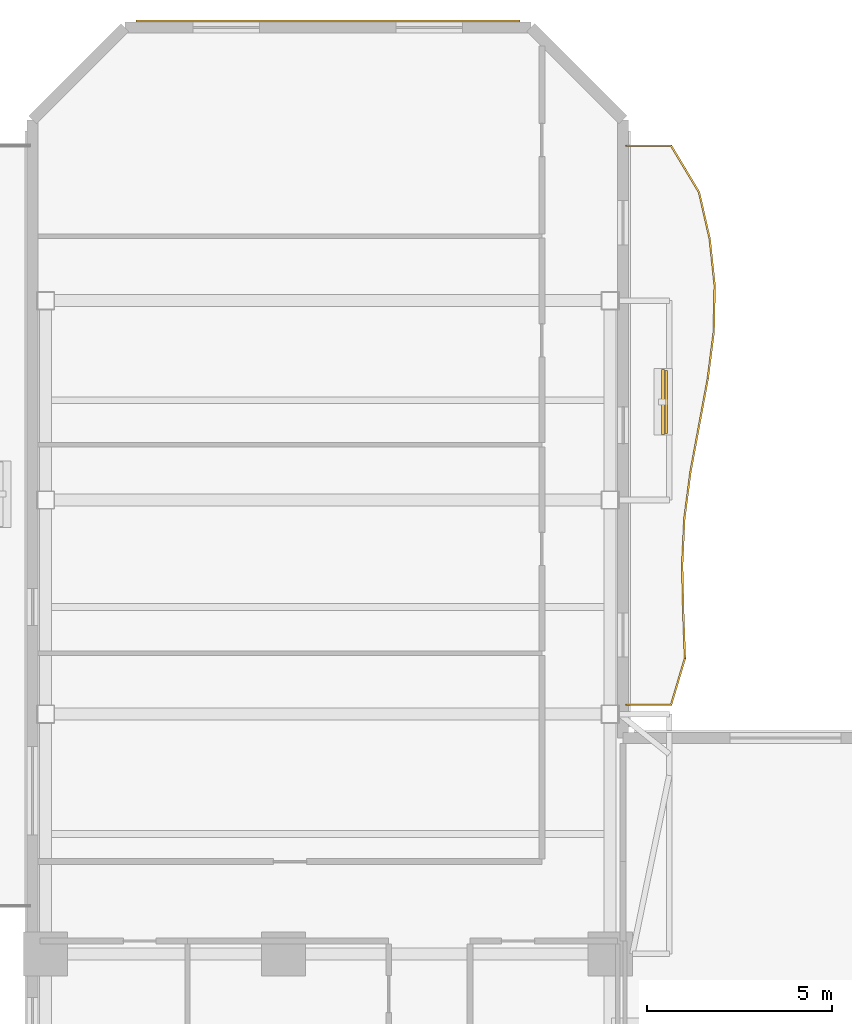
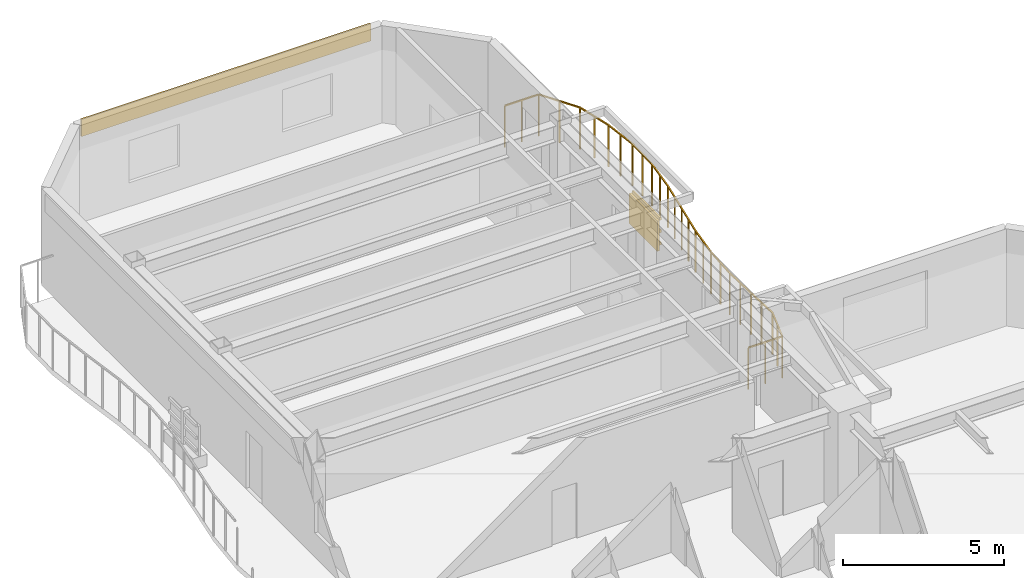
# One storey, part 15 of 15: 4 shading devices, 1 covering, 1 railing.
"""IFC4 building model written with IfcOpenShell, lengths in metres."""

import ifcopenshell
import ifcopenshell.guid

model = None  # the IFC model being written
_history = None  # IfcOwnerHistory: only IFC2X3 demands one
_inside = {}  # id of a spatial element -> (the spatial element, [elements in it])
_under = {}  # id of a project, library or spatial element -> (it, [spatial elements below it])
_declared = {}  # id of a project -> (the project, [libraries it declares])
_typed = {}  # id of a type object -> (the type object, [elements of that type])
_made_of = {}  # id of a material, layer set ... -> (it, [elements and type objects made of it])


def new_model(schema):
    """Start an empty IFC model of exactly this schema.

    Asked for "IFC4X3", IfcOpenShell would pick the latest addendum, in which some entities
    have other attributes; the version numbers below select the first issue.
    IFC2X3 requires an IfcOwnerHistory on every rooted entity: one is made here for all.
    """
    global model, _history
    if schema == "IFC4X3":
        model = ifcopenshell.file(schema_version=(4, 3, 0, 0))
    else:
        model = ifcopenshell.file(schema=schema)
    _inside.clear()
    _under.clear()
    _declared.clear()
    _typed.clear()
    _made_of.clear()
    _history = None
    if model.schema == "IFC2X3":
        org = make("IfcOrganization", Name="unknown")
        user = make(
            "IfcPersonAndOrganization",
            ThePerson=make("IfcPerson", FamilyName="unknown"),
            TheOrganization=org,
        )
        app = make(
            "IfcApplication",
            ApplicationDeveloper=org,
            Version="unknown",
            ApplicationFullName="unknown",
            ApplicationIdentifier="unknown",
        )
        _history = make(
            "IfcOwnerHistory",
            OwningUser=user,
            OwningApplication=app,
            ChangeAction="ADDED",
            CreationDate=0,
        )
    return model


def make(cls, **values):
    """One entity of the class cls with the attributes given. An attribute that is None is left unset."""
    return model.create_entity(
        cls, **{name: value for name, value in values.items() if value is not None}
    )


def rooted(cls, **values):
    """An entity with a GlobalId (a new one), such as an element, a storey or a relation."""
    return make(cls, GlobalId=ifcopenshell.guid.new(), OwnerHistory=_history, **values)


def si_unit(unit_type, name, prefix=None):
    """IfcSIUnit, for example si_unit("LENGTHUNIT", "METRE", prefix="MILLI")."""
    return make("IfcSIUnit", UnitType=unit_type, Prefix=prefix, Name=name)


def assignment(units):
    """IfcUnitAssignment: the units of a project."""
    return None if units is None else make("IfcUnitAssignment", Units=units)


def point(xyz):
    """IfcCartesianPoint."""
    return None if xyz is None else make("IfcCartesianPoint", Coordinates=xyz)


def direction(xyz):
    """IfcDirection."""
    return None if xyz is None else make("IfcDirection", DirectionRatios=xyz)


def frame(location, z_axis=None, x_axis=None):
    """IfcAxis2Placement3D, a coordinate frame: its origin and axes. An axis left out is left unset."""
    return make(
        "IfcAxis2Placement3D",
        Location=point(location),
        Axis=direction(z_axis),
        RefDirection=direction(x_axis),
    )


def frame_2d(location, x_axis=None):
    """IfcAxis2Placement2D, a coordinate frame in the plane: its origin and x axis."""
    return make(
        "IfcAxis2Placement2D", Location=point(location), RefDirection=direction(x_axis)
    )


def origin():
    """The frame at (0, 0, 0) with its axes left unset."""
    return frame((0.0, 0.0, 0.0))


def origin_2d():
    """The frame at (0, 0) in the plane with its x axis left unset."""
    return frame_2d((0.0, 0.0))


def place(relative_to, where):
    """IfcLocalPlacement: puts the frame where relative to a parent placement (None: the world)."""
    return make(
        "IfcLocalPlacement", PlacementRelTo=relative_to, RelativePlacement=where
    )


def context(
    kind, dimensions, precision=None, world=None, true_north=None, identifier=None
):
    """IfcGeometricRepresentationContext, for example the 3D "Model" context."""
    return make(
        "IfcGeometricRepresentationContext",
        ContextIdentifier=identifier,
        ContextType=kind,
        CoordinateSpaceDimension=dimensions,
        Precision=precision,
        WorldCoordinateSystem=world,
        TrueNorth=true_north,
    )


def subcontext(parent, identifier, kind, view, scale=None):
    """IfcGeometricRepresentationSubContext, for example "Body" below "Model"."""
    return make(
        "IfcGeometricRepresentationSubContext",
        ContextIdentifier=identifier,
        ContextType=kind,
        ParentContext=parent,
        TargetScale=scale,
        TargetView=view,
    )


def project(units=None, contexts=None):
    """IfcProject with its units and contexts."""
    return rooted(
        "IfcProject",
        Name="project",
        RepresentationContexts=contexts,
        UnitsInContext=assignment(units),
    )


def spatial(cls, under=None, at=None, **own):
    """A site, building, storey or space (cls), placed at a placement, below another one or the project."""
    s = rooted(cls, ObjectPlacement=at, **own)
    if under is not None:
        _under.setdefault(under.id(), (under, []))[1].append(s)
    return s


def profile(cls, at=None, kind="AREA", **sizes):
    """A parametric profile (cls). Its sizes go by their IFC names, for example OverallWidth=200.0."""
    return make(cls, ProfileType=kind, Position=at, **sizes)


def rectangle(**sizes):
    """IfcRectangleProfileDef."""
    return profile("IfcRectangleProfileDef", **sizes)


def extrude(swept, where, along, depth):
    """IfcExtrudedAreaSolid: the profile swept, set in the frame where, extruded along a direction by depth."""
    return make(
        "IfcExtrudedAreaSolid",
        SweptArea=swept,
        Position=where,
        ExtrudedDirection=direction(along),
        Depth=depth,
    )


def shape(context_of_items, identifier, shape_type, items):
    """IfcShapeRepresentation: the items that make up one representation, for example the "Body"."""
    return make(
        "IfcShapeRepresentation",
        ContextOfItems=context_of_items,
        RepresentationIdentifier=identifier,
        RepresentationType=shape_type,
        Items=items,
    )


def material(Name=None, Category=None):
    """IfcMaterial."""
    return make("IfcMaterial", Name=Name, Category=Category)


def layer(
    of_material, thickness, ventilated=None, Name=None, Category=None, Priority=None
):
    """IfcMaterialLayer: one layer of a wall or slab, of a material (None: an air gap)."""
    return make(
        "IfcMaterialLayer",
        Material=of_material,
        LayerThickness=thickness,
        IsVentilated=ventilated,
        Name=Name,
        Category=Category,
        Priority=Priority,
    )


def layer_set(layers, Name=None):
    """IfcMaterialLayerSet."""
    return make("IfcMaterialLayerSet", MaterialLayers=layers, LayerSetName=Name)


def material_profile(
    of_material, cross_section, Name=None, Category=None, Priority=None
):
    """IfcMaterialProfile: a cross section and its material."""
    return make(
        "IfcMaterialProfile",
        Name=Name,
        Material=of_material,
        Profile=cross_section,
        Priority=Priority,
        Category=Category,
    )


def profile_set(profiles, Name=None, composite=None):
    """IfcMaterialProfileSet."""
    return make(
        "IfcMaterialProfileSet",
        Name=Name,
        MaterialProfiles=profiles,
        CompositeProfile=composite,
    )


def made_of(thing, what):
    """Note that an element or type object is made of a material, layer set ...; save() writes the relation."""
    if what is not None:
        _made_of.setdefault(what.id(), (what, []))[1].append(thing)
    return thing


def type_object(cls, material=None, **own):
    """A type object (cls), such as IfcWallType, which elements share."""
    return made_of(rooted(cls, **own), material)


def element(
    cls,
    number,
    at=None,
    inside=None,
    cuts=None,
    type_object=None,
    material=None,
    context=None,
    identifier="Body",
    shape_type=None,
    held_by="IfcProductDefinitionShape",
    body=None,
    shapes=None,
    **own,
):
    """One element of the class cls, such as IfcWall. Its Tag is "e" and its number.

    at: its placement. inside: the storey or other place that contains it. cuts: it is an
    opening in that element (IfcRelVoidsElement). A single representation is given by context,
    identifier, shape_type and body (its items); several are given by shapes. held_by: the class
    of the entity that holds the representations. save() writes the other relations.
    """
    e = rooted(cls, Tag="e%d" % number, ObjectPlacement=at, **own)
    if body is not None:
        shapes = [shape(context, identifier, shape_type, body)]
    if shapes is not None:
        e.Representation = make(held_by, Representations=shapes)
    if inside is not None:
        _inside.setdefault(inside.id(), (inside, []))[1].append(e)
    if cuts is not None:
        rooted(
            "IfcRelVoidsElement", RelatingBuildingElement=cuts, RelatedOpeningElement=e
        )
    if type_object is not None:
        _typed.setdefault(type_object.id(), (type_object, []))[1].append(e)
    return made_of(e, material)


def aggregate(whole, parts):
    """IfcRelAggregates: a whole, such as a stair, and the parts it consists of."""
    return rooted("IfcRelAggregates", RelatingObject=whole, RelatedObjects=parts)


def save(model, path):
    """Write the relations noted so far, then the file.

    IfcRelAggregates (storeys below a building ...), IfcRelContainedInSpatialStructure (elements
    in a storey), IfcRelDefinesByType, IfcRelAssociatesMaterial and IfcRelDeclares: one each for
    every whole, place, type object, material and project.
    """
    for whole, parts in _under.values():
        aggregate(whole, parts)
    for where, things in _inside.values():
        rooted(
            "IfcRelContainedInSpatialStructure",
            RelatedElements=things,
            RelatingStructure=where,
        )
    for kind, things in _typed.values():
        rooted("IfcRelDefinesByType", RelatedObjects=things, RelatingType=kind)
    for what, things in _made_of.values():
        rooted("IfcRelAssociatesMaterial", RelatedObjects=things, RelatingMaterial=what)
    for by, libraries in _declared.values():
        rooted("IfcRelDeclares", RelatingContext=by, RelatedDefinitions=libraries)
    model.write(path)


model = new_model("IFC4")

# Units and contexts
model_context = context("Model", 3, precision=1e-05, world=origin(), true_north=direction((0.0, 1.0)))
body_context = subcontext(model_context, "Body", "Model", "MODEL_VIEW")
ifc_project = project(units=[si_unit("LENGTHUNIT", "METRE"), si_unit("AREAUNIT", "SQUARE_METRE"), si_unit("VOLUMEUNIT", "CUBIC_METRE"), si_unit("PLANEANGLEUNIT", "RADIAN"), si_unit("MASSUNIT", "GRAM", prefix="KILO")], contexts=[model_context])

# Site, building, storey
site_placement = place(None, origin())
site = spatial("IfcSite", under=ifc_project, at=site_placement, CompositionType="ELEMENT")
building_placement = place(site_placement, origin())
building = spatial("IfcBuilding", under=site, at=building_placement, Name="Mawjaban Terraces University", CompositionType="ELEMENT")
storey_placement = place(building_placement, frame((0.0, 0.0, 119.0)))
storey = spatial("IfcBuildingStorey", under=building, at=storey_placement, Name="L28", CompositionType="ELEMENT", Elevation=119.0)

# Railing
ifc_material_1 = material(Name="Galvanised powder-coated steel S355", Category="steel")
railing_type = type_object("IfcRailingType", Name="BalconyBalustrade_1600", PredefinedType="BALUSTRADE", material=ifc_material_1)
railing_placement = place(storey_placement, frame((38.080078125, 30.25, 0.0)))
element("IfcRailing", 1, at=railing_placement, inside=storey, type_object=railing_type, Name="L28 Balcony Guardrail inner_east", PredefinedType="BALUSTRADE", context=body_context, shape_type="SweptSolid", body=[
    extrude(rectangle(XDim=0.048095703125, YDim=0.048095703125, at=origin_2d()), frame((0.0, 0.0, 1.576171875), z_axis=(1.0, 0.0, 0.0), x_axis=(0.0, 1.0, 0.0)), (0.0, 0.0, 1.0), 1.219970703125),
    extrude(rectangle(XDim=0.048095703125, YDim=0.048095703125, at=origin_2d()), frame((1.219970703125, 0.0, 1.576171875), z_axis=(0.285527313033, 0.958370572123, 0.0), x_axis=(-0.958370572123, 0.285527313033, 0.0)), (0.0, 0.0, 1.0), 1.31689453125),
    extrude(rectangle(XDim=0.048095703125, YDim=0.048095703125, at=origin_2d()), frame((1.595947265625, 1.261962890625, 1.576171875), z_axis=(-0.036511498362, 0.999333232955, 0.0), x_axis=(-0.999333232955, -0.036511498362, 0.0)), (0.0, 0.0, 1.0), 1.263671875),
    extrude(rectangle(XDim=0.048095703125, YDim=0.048095703125, at=origin_2d()), frame((1.5498046875, 2.52490234375, 1.576171875), z_axis=(-0.022800410581, 0.999740036848, 0.0), x_axis=(-0.999740036848, -0.022800410581, 0.0)), (0.0, 0.0, 1.0), 1.263427734375),
    extrude(rectangle(XDim=0.048095703125, YDim=0.048095703125, at=origin_2d()), frame((1.52099609375, 3.7880859375, 1.576171875), z_axis=(0.047344797552, 0.99887860631, 0.0), x_axis=(-0.99887860631, 0.047344797552, 0.0)), (0.0, 0.0, 1.0), 1.263427734375),
    extrude(rectangle(XDim=0.048095703125, YDim=0.048095703125, at=origin_2d()), frame((1.580810546875, 5.050048828125, 1.576171875), z_axis=(0.129675409643, 0.991556497701, 0.0), x_axis=(-0.991556497701, 0.129675409643, 0.0)), (0.0, 0.0, 1.0), 1.272705078125),
    extrude(rectangle(XDim=0.048095703125, YDim=0.048095703125, at=origin_2d()), frame((1.745849609375, 6.31201171875, 1.576171875), z_axis=(0.182279833753, 0.98324669448, 0.0), x_axis=(-0.98324669448, 0.182279833753, 0.0)), (0.0, 0.0, 1.0), 1.284423828125),
    extrude(rectangle(XDim=0.048095703125, YDim=0.048095703125, at=origin_2d()), frame((1.97998046875, 7.574951171875, 1.576171875), z_axis=(0.182967768171, 0.983118912345, 0.0), x_axis=(-0.983118912345, 0.182967768171, 0.0)), (0.0, 0.0, 1.0), 1.28369140625),
    extrude(rectangle(XDim=0.048095703125, YDim=0.048095703125, at=origin_2d()), frame((2.21484375, 8.8369140625, 1.576171875), z_axis=(0.126535556197, 0.991962072369, 0.0), x_axis=(-0.991962072369, 0.126535556197, 0.0)), (0.0, 0.0, 1.0), 1.2734375),
    extrude(rectangle(XDim=0.048095703125, YDim=0.048095703125, at=origin_2d()), frame((2.3759765625, 10.10009765625, 1.576171875), z_axis=(0.020502557332, 0.999789800479, 0.0), x_axis=(-0.999789800479, 0.020502557332, 0.0)), (0.0, 0.0, 1.0), 1.26220703125),
    extrude(rectangle(XDim=0.048095703125, YDim=0.048095703125, at=origin_2d()), frame((2.40185546875, 11.362060546875, 1.576171875), z_axis=(-0.106295577203, 0.994334576622, 0.0), x_axis=(-0.994334576622, -0.106295577203, 0.0)), (0.0, 0.0, 1.0), 1.27001953125),
    extrude(rectangle(XDim=0.048095703125, YDim=0.048095703125, at=origin_2d()), frame((2.266845703125, 12.625, 1.576171875), z_axis=(-0.223096185715, 0.974796436144, 0.0), x_axis=(-0.974796436144, -0.223096185715, 0.0)), (0.0, 0.0, 1.0), 1.294677734375),
    extrude(rectangle(XDim=0.048095703125, YDim=0.048095703125, at=origin_2d()), frame((1.97802734375, 13.886962890625, 1.576171875), z_axis=(-0.514641994604, 0.857405165246, 0.0), x_axis=(-0.857405165246, -0.514641994604, 0.0)), (0.0, 0.0, 1.0), 1.472900390625),
    extrude(rectangle(XDim=0.048095703125, YDim=0.048095703125, at=origin_2d()), frame((1.219970703125, 15.14990234375, 1.576171875), z_axis=(-1.0, 0.0, 0.0), x_axis=(0.0, -1.0, 0.0)), (0.0, 0.0, 1.0), 1.219970703125),
    extrude(rectangle(XDim=0.0419921875, YDim=0.0419921875, at=origin_2d()), origin(), (0.0, 0.0, 1.0), 1.552001953125),
    extrude(rectangle(XDim=0.0419921875, YDim=0.0419921875, at=origin_2d()), frame((0.60986328125, 0.0, 0.0)), (0.0, 0.0, 1.0), 1.552001953125),
    extrude(rectangle(XDim=0.0419921875, YDim=0.0419921875, at=origin_2d()), frame((1.219970703125, 0.0, 0.0)), (0.0, 0.0, 1.0), 1.552001953125),
    extrude(rectangle(XDim=0.0419921875, YDim=0.0419921875, at=origin_2d()), frame((1.407958984375, 0.630859375, 0.0)), (0.0, 0.0, 1.0), 1.552001953125),
    extrude(rectangle(XDim=0.0419921875, YDim=0.0419921875, at=origin_2d()), frame((1.595947265625, 1.261962890625, 0.0)), (0.0, 0.0, 1.0), 1.552001953125),
    extrude(rectangle(XDim=0.0419921875, YDim=0.0419921875, at=origin_2d()), frame((1.57275390625, 1.8935546875, 0.0)), (0.0, 0.0, 1.0), 1.552001953125),
    extrude(rectangle(XDim=0.0419921875, YDim=0.0419921875, at=origin_2d()), frame((1.5498046875, 2.52490234375, 0.0)), (0.0, 0.0, 1.0), 1.552001953125),
    extrude(rectangle(XDim=0.0419921875, YDim=0.0419921875, at=origin_2d()), frame((1.535400390625, 3.156494140625, 0.0)), (0.0, 0.0, 1.0), 1.552001953125),
    extrude(rectangle(XDim=0.0419921875, YDim=0.0419921875, at=origin_2d()), frame((1.52099609375, 3.7880859375, 0.0)), (0.0, 0.0, 1.0), 1.552001953125),
    extrude(rectangle(XDim=0.0419921875, YDim=0.0419921875, at=origin_2d()), frame((1.55078125, 4.4189453125, 0.0)), (0.0, 0.0, 1.0), 1.552001953125),
    extrude(rectangle(XDim=0.0419921875, YDim=0.0419921875, at=origin_2d()), frame((1.580810546875, 5.050048828125, 0.0)), (0.0, 0.0, 1.0), 1.552001953125),
    extrude(rectangle(XDim=0.0419921875, YDim=0.0419921875, at=origin_2d()), frame((1.663330078125, 5.68115234375, 0.0)), (0.0, 0.0, 1.0), 1.552001953125),
    extrude(rectangle(XDim=0.0419921875, YDim=0.0419921875, at=origin_2d()), frame((1.745849609375, 6.31201171875, 0.0)), (0.0, 0.0, 1.0), 1.552001953125),
    extrude(rectangle(XDim=0.0419921875, YDim=0.0419921875, at=origin_2d()), frame((1.86279296875, 6.943359375, 0.0)), (0.0, 0.0, 1.0), 1.552001953125),
    extrude(rectangle(XDim=0.0419921875, YDim=0.0419921875, at=origin_2d()), frame((1.97998046875, 7.574951171875, 0.0)), (0.0, 0.0, 1.0), 1.552001953125),
    extrude(rectangle(XDim=0.0419921875, YDim=0.0419921875, at=origin_2d()), frame((2.097412109375, 8.2060546875, 0.0)), (0.0, 0.0, 1.0), 1.552001953125),
    extrude(rectangle(XDim=0.0419921875, YDim=0.0419921875, at=origin_2d()), frame((2.21484375, 8.8369140625, 0.0)), (0.0, 0.0, 1.0), 1.552001953125),
    extrude(rectangle(XDim=0.0419921875, YDim=0.0419921875, at=origin_2d()), frame((2.29541015625, 9.468505859375, 0.0)), (0.0, 0.0, 1.0), 1.552001953125),
    extrude(rectangle(XDim=0.0419921875, YDim=0.0419921875, at=origin_2d()), frame((2.3759765625, 10.10009765625, 0.0)), (0.0, 0.0, 1.0), 1.552001953125),
    extrude(rectangle(XDim=0.0419921875, YDim=0.0419921875, at=origin_2d()), frame((2.388916015625, 10.73095703125, 0.0)), (0.0, 0.0, 1.0), 1.552001953125),
    extrude(rectangle(XDim=0.0419921875, YDim=0.0419921875, at=origin_2d()), frame((2.40185546875, 11.362060546875, 0.0)), (0.0, 0.0, 1.0), 1.552001953125),
    extrude(rectangle(XDim=0.0419921875, YDim=0.0419921875, at=origin_2d()), frame((2.33447265625, 11.99365234375, 0.0)), (0.0, 0.0, 1.0), 1.552001953125),
    extrude(rectangle(XDim=0.0419921875, YDim=0.0419921875, at=origin_2d()), frame((2.266845703125, 12.625, 0.0)), (0.0, 0.0, 1.0), 1.552001953125),
    extrude(rectangle(XDim=0.0419921875, YDim=0.0419921875, at=origin_2d()), frame((2.12255859375, 13.255859375, 0.0)), (0.0, 0.0, 1.0), 1.552001953125),
    extrude(rectangle(XDim=0.0419921875, YDim=0.0419921875, at=origin_2d()), frame((1.97802734375, 13.886962890625, 0.0)), (0.0, 0.0, 1.0), 1.552001953125),
    extrude(rectangle(XDim=0.0419921875, YDim=0.0419921875, at=origin_2d()), frame((1.59912109375, 14.5185546875, 0.0)), (0.0, 0.0, 1.0), 1.552001953125),
    extrude(rectangle(XDim=0.0419921875, YDim=0.0419921875, at=origin_2d()), frame((1.219970703125, 15.14990234375, 0.0)), (0.0, 0.0, 1.0), 1.552001953125),
    extrude(rectangle(XDim=0.0419921875, YDim=0.0419921875, at=origin_2d()), frame((0.60986328125, 15.14990234375, 0.0)), (0.0, 0.0, 1.0), 1.552001953125),
    extrude(rectangle(XDim=0.0419921875, YDim=0.0419921875, at=origin_2d()), frame((0.0, 15.14990234375, 0.0)), (0.0, 0.0, 1.0), 1.552001953125),
])

# Shading devices
ifc_material_2 = material(Name="Glazed architectural terracotta ceramic", Category="masonry")
ifc_material_profile = material_profile(ifc_material_2, rectangle(XDim=0.06494140625, YDim=0.110107421875, at=origin_2d()), Name="TBAG110X65")
ifc_profile_set = profile_set([ifc_material_profile], Name="Glazed architectural terracotta ceramic")
shading_device_type_1 = type_object("IfcShadingDeviceType", Name="TerracottaBaguette_110x65", PredefinedType="USERDEFINED", material=ifc_profile_set)
for number, where, z_axis, x_axis, name in (
    (2, (39.1689453125, 37.60595703125, 0.679931640625), (0.0, 1.0, 0.0), (-1.0, 0.0, 0.0), "L28 Horizontal Terracotta Baguette inner_east.1"),
    (3, (39.1689453125, 37.60595703125, 1.14990234375), (0.0, 1.0, 0.0), (-1.0, 0.0, 0.0), "L28 Horizontal Terracotta Baguette inner_east.2"),
    (4, (39.1689453125, 37.60595703125, 1.6201171875), (0.0, 1.0, 0.0), (-1.0, 0.0, 0.0), "L28 Horizontal Terracotta Baguette inner_east.3"),
):
    element("IfcShadingDevice", number, at=place(storey_placement, frame(where, z_axis=z_axis, x_axis=x_axis)), inside=storey, type_object=shading_device_type_1, Name=name, ObjectType="BAGUETTE", PredefinedType="USERDEFINED", context=body_context, shape_type="SweptSolid", body=[
        extrude(rectangle(XDim=0.06494140625, YDim=0.110107421875, at=origin_2d()), origin(), (0.0, 0.0, 1.0), 1.699951171875),
    ])
ifc_layer_1 = layer(ifc_material_2, 0.080078125)
ifc_layer_set_1 = layer_set([ifc_layer_1], Name="Glazed architectural terracotta ceramic")
shading_device_type_2 = type_object("IfcShadingDeviceType", Name="TerracottaScreen_Perforated", PredefinedType="USERDEFINED", material=ifc_layer_set_1)
shading_device_placement = place(storey_placement, frame((39.083984375, 38.4560546875, 0.43994140625), z_axis=(0.0, 0.0, 1.0), x_axis=(0.0, 1.0, 0.0)))
element("IfcShadingDevice", 5, at=shading_device_placement, inside=storey, type_object=shading_device_type_2, Name="L28 Balcony Perforated Terracotta Screen inner_east", ObjectType="SCREEN", PredefinedType="USERDEFINED", context=body_context, shape_type="SweptSolid", body=[
    extrude(rectangle(XDim=1.75, YDim=0.080078125, at=origin_2d()), origin(), (0.0, 0.0, 1.0), 1.14990234375),
])

# Covering
ifc_material_3 = material(Name="Glazed architectural terracotta rainscreen", Category="masonry")
ifc_layer_2 = layer(ifc_material_3, 0.06005859375)
ifc_layer_set_2 = layer_set([ifc_layer_2], Name="Glazed architectural terracotta rainscreen")
covering_type = type_object("IfcCoveringType", Name="TerracottaSpandrelCladding_60", PredefinedType="CLADDING", material=ifc_layer_set_2)
covering_placement = place(storey_placement, frame((30.0, 48.77490234375, 3.01513671875), z_axis=(0.0, 0.0, 1.0), x_axis=(-1.0, 0.0, 0.0)))
element("IfcCovering", 6, at=covering_placement, inside=storey, type_object=covering_type, Name="L28 Terracotta Spandrel Cladding 11", PredefinedType="CLADDING", context=body_context, shape_type="SweptSolid", body=[
    extrude(rectangle(XDim=10.39990234375, YDim=0.06005859375, at=origin_2d()), origin(), (0.0, 0.0, 1.0), 0.64990234375),
])

save(model, "model.ifc")
